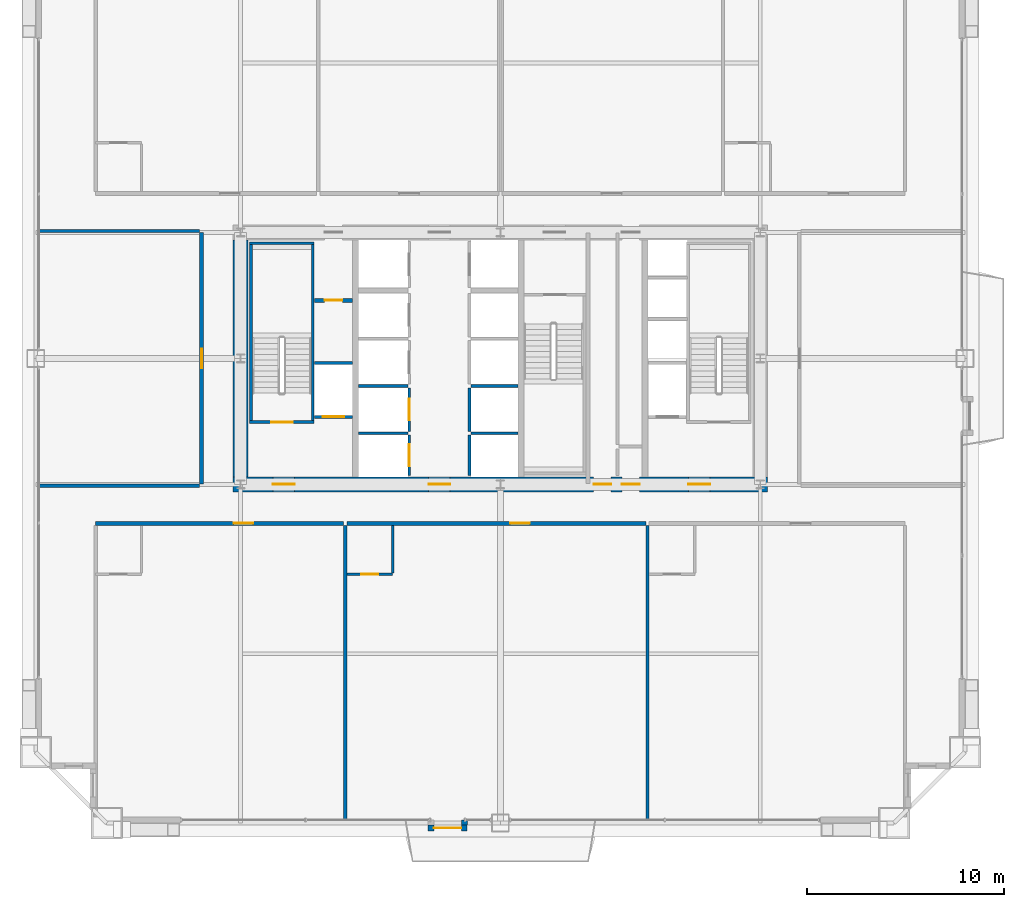
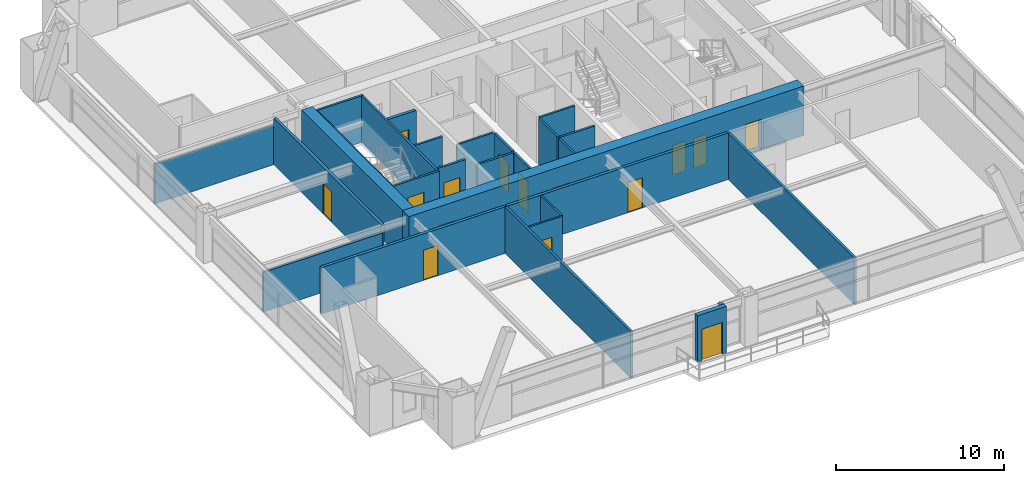
# One storey, part 39 of 43: 28 walls, 15 doors, 15 openings.
"""IFC4 building model written with IfcOpenShell, lengths in metres."""

from ifc_helpers import new_model, si_unit, direction, frame, frame_2d, origin, place, context, subcontext, project, spatial, rectangle, extrude, source, transform, mapped, material, layer, layer_set, type_object, element, fill, save


model = new_model("IFC4")

# Units and contexts
model_context = context("Model", 3, precision=1e-05, world=origin(), true_north=direction((0.0, 1.0)))
body_context = subcontext(model_context, "Body", "Model", "MODEL_VIEW")
ifc_project = project(units=[si_unit("LENGTHUNIT", "METRE"), si_unit("AREAUNIT", "SQUARE_METRE"), si_unit("VOLUMEUNIT", "CUBIC_METRE"), si_unit("PLANEANGLEUNIT", "RADIAN"), si_unit("MASSUNIT", "GRAM", prefix="KILO"), si_unit("THERMODYNAMICTEMPERATUREUNIT", "KELVIN"), si_unit("POWERUNIT", "WATT")], contexts=[model_context])

# Site, building, storey
site_placement = place(None, origin())
site = spatial("IfcSite", under=ifc_project, at=site_placement, CompositionType="ELEMENT")
building_placement = place(site_placement, origin())
building = spatial("IfcBuilding", under=site, at=building_placement, Name="Yuzanri Waterfront Tower", CompositionType="ELEMENT")
storey_placement = place(building_placement, frame((0.0, 0.0, 101.0)))
storey = spatial("IfcBuildingStorey", under=building, at=storey_placement, Name="L26", CompositionType="ELEMENT", Elevation=101.0)

# Wall, opening, door
ifc_material_1 = material(Name="Moisture-Resistant Gypsum Stud Wall", Category="gypsum")
ifc_layer_1 = layer(ifc_material_1, 0.1201171875)
ifc_layer_set_1 = layer_set([ifc_layer_1], Name="Moisture-Resistant Gypsum Stud Wall")
wall_type_1 = type_object("IfcWallType", Name="Bathroom and Kitchen Wet Partition 120", PredefinedType="PARTITIONING", material=ifc_layer_set_1)
wall_1_placement = place(storey_placement, frame((29.198974609375, 14.840087890625, 0.0), z_axis=(0.0, 0.0, 1.0), x_axis=(1.0, 0.0, 0.0)))
wall_1 = element("IfcWall", 1, at=wall_1_placement, inside=storey, type_object=wall_type_1, Name="L26 Partition UW-L26-S2-BS", PredefinedType="PARTITIONING", context=body_context, shape_type="SweptSolid", body=[
    extrude(rectangle(XDim=2.330078125, YDim=0.1201171875, at=frame_2d((1.1650390625, 0.0))), origin(), (0.0, 0.0, 1.0), 3.3798828125),
])
opening_1_placement = place(wall_1_placement, frame((0.739990234375, 0.0, 0.0)))
opening_1 = element("IfcOpeningElement", 2, at=opening_1_placement, cuts=wall_1, Name="Opening ID-0850", PredefinedType="OPENING", context=body_context, shape_type="SweptSolid", body=[
    extrude(rectangle(XDim=0.85009765625, YDim=2.10009765625, at=frame_2d((0.425048828125, 1.050048828125))), frame((0.0, 0.074951171875, 0.0), z_axis=(0.0, -1.0, 0.0), x_axis=(1.0, 0.0, 0.0)), (0.0, 0.0, 1.0), 0.14990234375),
])
ifc_material_2 = material(Name="Moisture-Resistant Lacquered Timber", Category="wood")
door_type_1 = type_object("IfcDoorType", Name="En-Suite Bathroom and Kitchen Swing Door 850x2100", OperationType="NOTDEFINED", PredefinedType="DOOR", material=ifc_material_2)
shared_shape_1 = source(origin(), body_context, "Body", "SweptSolid", [
    extrude(rectangle(XDim=0.85009765625, YDim=2.10009765625, at=frame_2d((0.425048828125, 1.050048828125))), frame((0.0, 0.02490234375, 0.0), z_axis=(0.0, -1.0, 0.0), x_axis=(1.0, 0.0, 0.0)), (0.0, 0.0, 1.0), 0.050048828125),
])
door_1_placement = place(opening_1_placement, origin())
door_1 = element("IfcDoor", 3, at=door_1_placement, inside=storey, type_object=door_type_1, Name="L26 Guest En-Suite Door", OperationType="SINGLE_SWING_LEFT", OverallHeight=2.10009765625, OverallWidth=0.85009765625, PredefinedType="DOOR", context=body_context, shape_type="MappedRepresentation", body=[
    mapped(shared_shape_1, transform((0.0, 0.0, 0.0), scale=1.0)),
])
fill(opening_1, door_1)

ifc_material_3 = material(Name="Honed Chongqing Dark Basalt Stone", Category="masonry")
ifc_layer_2 = layer(ifc_material_3, 0.300048828125)
ifc_layer_set_2 = layer_set([ifc_layer_2], Name="Honed Chongqing Dark Basalt Stone")
wall_type_2 = type_object("IfcWallType", Name="Bronze Rainscreen Insulated Spandrel Portal Wall 300", PredefinedType="SOLIDWALL", material=ifc_layer_set_2)
wall_2_placement = place(storey_placement, frame((33.31689453125, 1.949951171875, 0.0), z_axis=(0.0, 0.0, 1.0), x_axis=(1.0, 0.0, 0.0)))
wall_2 = element("IfcWall", 4, at=wall_2_placement, inside=storey, type_object=wall_type_2, Name="L26 S Terrace Door Portal Wall", PredefinedType="SOLIDWALL", context=body_context, shape_type="SweptSolid", body=[
    extrude(rectangle(XDim=2.0, YDim=0.300048828125, at=frame_2d((1.0, 0.0))), origin(), (0.0, 0.0, 1.0), 3.3798828125),
])
opening_2_placement = place(wall_2_placement, frame((0.300048828125, 0.0, 0.0)))
opening_2 = element("IfcOpeningElement", 5, at=opening_2_placement, cuts=wall_2, Name="Opening TD-1400", PredefinedType="OPENING", context=body_context, shape_type="SweptSolid", body=[
    extrude(rectangle(XDim=1.39990234375, YDim=2.300048828125, at=frame_2d((0.699951171875, 1.14990234375))), frame((0.0, 0.1650390625, 0.0), z_axis=(0.0, -1.0, 0.0), x_axis=(1.0, 0.0, 0.0)), (0.0, 0.0, 1.0), 0.329833984375),
])
ifc_material_4 = material(Name="Anodized Architectural Bronze", Category="metal")
door_type_2 = type_object("IfcDoorType", Name="Anodized Bronze Balcony and Terrace Glazed Double Door 1400x2300", OperationType="NOTDEFINED", PredefinedType="DOOR", material=ifc_material_4)
shared_shape_2 = source(origin(), body_context, "Body", "SweptSolid", [
    extrude(rectangle(XDim=1.39990234375, YDim=2.300048828125, at=frame_2d((0.699951171875, 1.14990234375))), frame((0.0, 0.02490234375, 0.0), z_axis=(0.0, -1.0, 0.0), x_axis=(1.0, 0.0, 0.0)), (0.0, 0.0, 1.0), 0.050048828125),
])
door_2_placement = place(opening_2_placement, origin())
door_2 = element("IfcDoor", 6, at=door_2_placement, inside=storey, type_object=door_type_2, Name="L26 S Terrace Glazed Double Door", OperationType="DOUBLE_DOOR_SINGLE_SWING", OverallHeight=2.300048828125, OverallWidth=1.39990234375, PredefinedType="DOOR", context=body_context, shape_type="MappedRepresentation", body=[
    mapped(shared_shape_2, transform((0.0, 0.0, 0.0), scale=1.0)),
])
fill(opening_2, door_2)

# Wall, openings, doors
ifc_material_5 = material(Name="Concrete C55", Category="concrete")
ifc_layer_3 = layer(ifc_material_5, 0.75)
ifc_layer_set_3 = layer_set([ifc_layer_3], Name="Concrete C55")
wall_type_3 = type_object("IfcWallType", Name="Concrete C55 Low-Mid Zone Core Shear Wall 750", PredefinedType="SHEAR", material=ifc_layer_set_3)
wall_3_placement = place(storey_placement, frame((23.425048828125, 19.39990234375, 0.0), z_axis=(0.0, 0.0, 1.0), x_axis=(1.0, 0.0, 0.0)))
wall_3 = element("IfcWall", 7, at=wall_3_placement, inside=storey, type_object=wall_type_3, Name="L26 Core South Shear Wall", PredefinedType="SHEAR", context=body_context, shape_type="SweptSolid", body=[
    extrude(rectangle(XDim=27.14990234375, YDim=0.75, at=frame_2d((13.574951171875, 0.0))), origin(), (0.0, 0.0, 1.0), 3.60009765625),
])
opening_3_placement = place(wall_3_placement, frame((2.02490234375, 0.0, 0.0)))
opening_3 = element("IfcOpeningElement", 8, at=opening_3_placement, cuts=wall_3, Name="Opening FD-1100", PredefinedType="OPENING", context=body_context, shape_type="SweptSolid", body=[
    extrude(rectangle(XDim=1.10009765625, YDim=2.199951171875, at=frame_2d((0.550048828125, 1.10009765625))), frame((0.0, 0.389892578125, 0.0), z_axis=(0.0, -1.0, 0.0), x_axis=(1.0, 0.0, 0.0)), (0.0, 0.0, 1.0), 0.77978515625),
])
opening_4_placement = place(wall_3_placement, frame((9.925048828125, 0.0, 0.0)))
opening_4 = element("IfcOpeningElement", 9, at=opening_4_placement, cuts=wall_3, Name="Opening FD-1100", PredefinedType="OPENING", context=body_context, shape_type="SweptSolid", body=[
    extrude(rectangle(XDim=1.10009765625, YDim=2.199951171875, at=frame_2d((0.550048828125, 1.10009765625))), frame((0.0, 0.389892578125, 0.0), z_axis=(0.0, -1.0, 0.0), x_axis=(1.0, 0.0, 0.0)), (0.0, 0.0, 1.0), 0.77978515625),
])
opening_5_placement = place(wall_3_placement, frame((23.125, 0.0, 0.0)))
opening_5 = element("IfcOpeningElement", 10, at=opening_5_placement, cuts=wall_3, Name="Opening FD-1100", PredefinedType="OPENING", context=body_context, shape_type="SweptSolid", body=[
    extrude(rectangle(XDim=1.10009765625, YDim=2.199951171875, at=frame_2d((0.550048828125, 1.10009765625))), frame((0.0, 0.389892578125, 0.0), z_axis=(0.0, -1.0, 0.0), x_axis=(1.0, 0.0, 0.0)), (0.0, 0.0, 1.0), 0.77978515625),
])
opening_6_placement = place(wall_3_placement, frame((19.7451171875, 0.0, 0.0)))
opening_6 = element("IfcOpeningElement", 11, at=opening_6_placement, cuts=wall_3, Name="Opening FD-0900", PredefinedType="OPENING", context=body_context, shape_type="SweptSolid", body=[
    extrude(rectangle(XDim=0.89990234375, YDim=2.14990234375, at=frame_2d((0.449951171875, 1.074951171875))), frame((0.0, 0.389892578125, 0.0), z_axis=(0.0, -1.0, 0.0), x_axis=(1.0, 0.0, 0.0)), (0.0, 0.0, 1.0), 0.77978515625),
])
opening_7_placement = place(wall_3_placement, frame((18.304931640625, 0.0, 0.0)))
opening_7 = element("IfcOpeningElement", 12, at=opening_7_placement, cuts=wall_3, Name="Opening FD-0900", PredefinedType="OPENING", context=body_context, shape_type="SweptSolid", body=[
    extrude(rectangle(XDim=0.89990234375, YDim=2.14990234375, at=frame_2d((0.449951171875, 1.074951171875))), frame((0.0, 0.389892578125, 0.0), z_axis=(0.0, -1.0, 0.0), x_axis=(1.0, 0.0, 0.0)), (0.0, 0.0, 1.0), 0.77978515625),
])
ifc_material_6 = material(Name="Painted Galvanized Fire Steel", Category="steel")
door_type_3 = type_object("IfcDoorType", Name="Smoke-Proof Stair and Lobby Fire Door 1100x2200", OperationType="NOTDEFINED", PredefinedType="DOOR", material=ifc_material_6)
shared_shape_3 = source(origin(), body_context, "Body", "SweptSolid", [
    extrude(rectangle(XDim=1.10009765625, YDim=2.199951171875, at=frame_2d((0.550048828125, 1.10009765625))), frame((0.0, 0.02490234375, 0.0), z_axis=(0.0, -1.0, 0.0), x_axis=(1.0, 0.0, 0.0)), (0.0, 0.0, 1.0), 0.050048828125),
])
door_3_placement = place(opening_3_placement, origin())
door_3 = element("IfcDoor", 13, at=door_3_placement, inside=storey, type_object=door_type_3, Name="L26 West Firefighting Lobby Door", OperationType="SINGLE_SWING_RIGHT", OverallHeight=2.199951171875, OverallWidth=1.10009765625, PredefinedType="DOOR", context=body_context, shape_type="MappedRepresentation", body=[
    mapped(shared_shape_3, transform((0.0, 0.0, 0.0), scale=1.0)),
])
fill(opening_3, door_3)
door_4_placement = place(opening_4_placement, origin())
door_4 = element("IfcDoor", 14, at=door_4_placement, inside=storey, type_object=door_type_3, Name="L26 Central Lift Lobby South Door", OperationType="SINGLE_SWING_LEFT", OverallHeight=2.199951171875, OverallWidth=1.10009765625, PredefinedType="DOOR", context=body_context, shape_type="MappedRepresentation", body=[
    mapped(shared_shape_3, transform((0.0, 0.0, 0.0), scale=1.0)),
])
fill(opening_4, door_4)
door_5_placement = place(opening_5_placement, origin())
door_5 = element("IfcDoor", 15, at=door_5_placement, inside=storey, type_object=door_type_3, Name="L26 East Firefighting Lobby Door", OperationType="SINGLE_SWING_RIGHT", OverallHeight=2.199951171875, OverallWidth=1.10009765625, PredefinedType="DOOR", context=body_context, shape_type="MappedRepresentation", body=[
    mapped(shared_shape_3, transform((0.0, 0.0, 0.0), scale=1.0)),
])
fill(opening_5, door_5)
ifc_material_7 = material(Name="Painted Galvanized Fire Steel", Category="steel")
door_type_4 = type_object("IfcDoorType", Name="Riser and Service Room Fire Door 900x2150", OperationType="NOTDEFINED", PredefinedType="DOOR", material=ifc_material_7)
shared_shape_4 = source(origin(), body_context, "Body", "SweptSolid", [
    extrude(rectangle(XDim=0.89990234375, YDim=2.14990234375, at=frame_2d((0.449951171875, 1.074951171875))), frame((0.0, 0.02490234375, 0.0), z_axis=(0.0, -1.0, 0.0), x_axis=(1.0, 0.0, 0.0)), (0.0, 0.0, 1.0), 0.050048828125),
])
door_6_placement = place(opening_6_placement, origin())
door_6 = element("IfcDoor", 16, at=door_6_placement, inside=storey, type_object=door_type_4, Name="L26 East Wet Riser Door", OperationType="SINGLE_SWING_LEFT", OverallHeight=2.14990234375, OverallWidth=0.89990234375, PredefinedType="DOOR", context=body_context, shape_type="MappedRepresentation", body=[
    mapped(shared_shape_4, transform((0.0, 0.0, 0.0), scale=1.0)),
])
fill(opening_6, door_6)
door_7_placement = place(opening_7_placement, origin())
door_7 = element("IfcDoor", 17, at=door_7_placement, inside=storey, type_object=door_type_4, Name="L26 Housekeeping Room", OperationType="SINGLE_SWING_RIGHT", OverallHeight=2.14990234375, OverallWidth=0.89990234375, PredefinedType="DOOR", context=body_context, shape_type="MappedRepresentation", body=[
    mapped(shared_shape_4, transform((0.0, 0.0, 0.0), scale=1.0)),
])
fill(opening_7, door_7)

# Wall, opening, door
ifc_material_8 = material(Name="Concrete C40", Category="concrete")
ifc_layer_4 = layer(ifc_material_8, 0.139892578125)
ifc_layer_set_4 = layer_set([ifc_layer_4], Name="Concrete C40")
wall_type_4 = type_object("IfcWallType", Name="Core Stair Liner and Hoistway Shaft Wall 140", PredefinedType="SOLIDWALL", material=ifc_layer_set_4)
wall_4_placement = place(storey_placement, frame((27.56005859375, 22.830078125, 0.0), z_axis=(0.0, 0.0, 1.0), x_axis=(1.0, 0.0, 0.0)))
wall_4 = element("IfcWall", 18, at=wall_4_placement, inside=storey, type_object=wall_type_4, Name="L26 Lift FL-01 Front Shaft Wall", PredefinedType="SOLIDWALL", context=body_context, shape_type="SweptSolid", body=[
    extrude(rectangle(XDim=1.919921875, YDim=0.139892578125, at=frame_2d((0.9599609375, 0.0))), origin(), (0.0, 0.0, 1.0), 3.3798828125),
])
opening_8_placement = place(wall_4_placement, frame((0.409912109375, 0.0, 0.0)))
opening_8 = element("IfcOpeningElement", 19, at=opening_8_placement, cuts=wall_4, Name="Opening LD-FL-01", PredefinedType="OPENING", context=body_context, shape_type="SweptSolid", body=[
    extrude(rectangle(XDim=1.10009765625, YDim=2.199951171875, at=frame_2d((0.550048828125, 1.10009765625))), frame((0.0, 0.0849609375, 0.0), z_axis=(0.0, -1.0, 0.0), x_axis=(1.0, 0.0, 0.0)), (0.0, 0.0, 1.0), 0.169677734375),
])
ifc_material_9 = material(Name="Brushed Bronze and Stainless Steel Cab", Category="steel")
door_type_5 = type_object("IfcDoorType", Name="Center-Parting Bronze Lift Landing Sliding Door 1100x2200", OperationType="NOTDEFINED", PredefinedType="DOOR", material=ifc_material_9)
shared_shape_5 = source(origin(), body_context, "Body", "SweptSolid", [
    extrude(rectangle(XDim=1.10009765625, YDim=2.199951171875, at=frame_2d((0.550048828125, 1.10009765625))), frame((0.0, 0.02490234375, 0.0), z_axis=(0.0, -1.0, 0.0), x_axis=(1.0, 0.0, 0.0)), (0.0, 0.0, 1.0), 0.050048828125),
])
door_8_placement = place(opening_8_placement, origin())
door_8 = element("IfcDoor", 20, at=door_8_placement, inside=storey, type_object=door_type_5, Name="L26 FL-01 Lift Landing Sliding Door", OperationType="SLIDING_TO_LEFT", OverallHeight=2.199951171875, OverallWidth=1.10009765625, PredefinedType="DOOR", context=body_context, shape_type="MappedRepresentation", body=[
    mapped(shared_shape_5, transform((0.0, 0.0, 0.0), scale=1.0)),
])
fill(opening_8, door_8)

wall_5_placement = place(storey_placement, frame((32.3701171875, 19.860107421875, 0.0), z_axis=(0.0, 0.0, 1.0), x_axis=(0.0, 1.0, 0.0)))
wall_5 = element("IfcWall", 21, at=wall_5_placement, inside=storey, type_object=wall_type_4, Name="L26 Lift PL-01 Front Shaft Wall", PredefinedType="SOLIDWALL", context=body_context, shape_type="SweptSolid", body=[
    extrude(rectangle(XDim=2.039794921875, YDim=0.139892578125, at=frame_2d((1.02001953125, 0.0))), origin(), (0.0, 0.0, 1.0), 3.3798828125),
])
opening_9_placement = place(wall_5_placement, frame((0.469970703125, 0.0, 0.0)))
opening_9 = element("IfcOpeningElement", 22, at=opening_9_placement, cuts=wall_5, Name="Opening LD-PL-01", PredefinedType="OPENING", context=body_context, shape_type="SweptSolid", body=[
    extrude(rectangle(XDim=1.10009765625, YDim=2.199951171875, at=frame_2d((0.550048828125, 1.10009765625))), frame((0.0, 0.0849609375, 0.0), z_axis=(0.0, -1.0, 0.0), x_axis=(1.0, 0.0, 0.0)), (0.0, 0.0, 1.0), 0.169677734375),
])
door_9_placement = place(opening_9_placement, origin())
door_9 = element("IfcDoor", 23, at=door_9_placement, inside=storey, type_object=door_type_5, Name="L26 PL-01 Lift Landing Sliding Door", OperationType="SLIDING_TO_LEFT", OverallHeight=2.199951171875, OverallWidth=1.10009765625, PredefinedType="DOOR", context=body_context, shape_type="MappedRepresentation", body=[
    mapped(shared_shape_5, transform((0.0, 0.0, 0.0), scale=1.0)),
])
fill(opening_9, door_9)

wall_6_placement = place(storey_placement, frame((32.3701171875, 22.10009765625, 0.0), z_axis=(0.0, 0.0, 1.0), x_axis=(0.0, 1.0, 0.0)))
wall_6 = element("IfcWall", 24, at=wall_6_placement, inside=storey, type_object=wall_type_4, Name="L26 Lift PL-02 Front Shaft Wall", PredefinedType="SOLIDWALL", context=body_context, shape_type="SweptSolid", body=[
    extrude(rectangle(XDim=2.199951171875, YDim=0.139892578125, at=frame_2d((1.10009765625, 0.0))), origin(), (0.0, 0.0, 1.0), 3.3798828125),
])
opening_10_placement = place(wall_6_placement, frame((0.550048828125, 0.0, 0.0)))
opening_10 = element("IfcOpeningElement", 25, at=opening_10_placement, cuts=wall_6, Name="Opening LD-PL-02", PredefinedType="OPENING", context=body_context, shape_type="SweptSolid", body=[
    extrude(rectangle(XDim=1.10009765625, YDim=2.199951171875, at=frame_2d((0.550048828125, 1.10009765625))), frame((0.0, 0.0849609375, 0.0), z_axis=(0.0, -1.0, 0.0), x_axis=(1.0, 0.0, 0.0)), (0.0, 0.0, 1.0), 0.169677734375),
])
door_10_placement = place(opening_10_placement, origin())
door_10 = element("IfcDoor", 26, at=door_10_placement, inside=storey, type_object=door_type_5, Name="L26 PL-02 Lift Landing Sliding Door", OperationType="SLIDING_TO_RIGHT", OverallHeight=2.199951171875, OverallWidth=1.10009765625, PredefinedType="DOOR", context=body_context, shape_type="MappedRepresentation", body=[
    mapped(shared_shape_5, transform((0.0, 0.0, 0.0), scale=1.0)),
])
fill(opening_10, door_10)

wall_7_placement = place(storey_placement, frame((24.260009765625, 22.570068359375, 0.0), z_axis=(0.0, 0.0, 1.0), x_axis=(1.0, 0.0, 0.0)))
wall_7 = element("IfcWall", 27, at=wall_7_placement, inside=storey, type_object=wall_type_4, Name="L26 Shaft Wall STW-L26-ST-01-S", PredefinedType="SOLIDWALL", context=body_context, shape_type="SweptSolid", body=[
    extrude(rectangle(XDim=3.280029296875, YDim=0.139892578125, at=frame_2d((1.64013671875, 0.0))), origin(), (0.0, 0.0, 1.0), 3.3798828125),
])
opening_11_placement = place(wall_7_placement, frame((1.090087890625, 0.0, 0.0)))
opening_11 = element("IfcOpeningElement", 28, at=opening_11_placement, cuts=wall_7, Name="Opening FD-1100", PredefinedType="OPENING", context=body_context, shape_type="SweptSolid", body=[
    extrude(rectangle(XDim=1.10009765625, YDim=2.199951171875, at=frame_2d((0.550048828125, 1.10009765625))), frame((0.0, 0.0849609375, 0.0), z_axis=(0.0, -1.0, 0.0), x_axis=(1.0, 0.0, 0.0)), (0.0, 0.0, 1.0), 0.169677734375),
])
door_11_placement = place(opening_11_placement, origin())
door_11 = element("IfcDoor", 29, at=door_11_placement, inside=storey, type_object=door_type_3, Name="L26 Stair ST-01 Fire Door", OperationType="SINGLE_SWING_LEFT", OverallHeight=2.199951171875, OverallWidth=1.10009765625, PredefinedType="DOOR", context=body_context, shape_type="MappedRepresentation", body=[
    mapped(shared_shape_3, transform((0.0, 0.0, 0.0), scale=1.0)),
])
fill(opening_11, door_11)

ifc_material_10 = material(Name="Autoclaved Aerated Concrete Blockwork", Category="masonry")
ifc_layer_5 = layer(ifc_material_10, 0.199951171875)
ifc_layer_set_5 = layer_set([ifc_layer_5], Name="Autoclaved Aerated Concrete Blockwork")
wall_type_5 = type_object("IfcWallType", Name="Corridor and Unit Party Fire Wall 200", PredefinedType="PARTITIONING", material=ifc_layer_set_5)
wall_8_placement = place(storey_placement, frame((27.56005859375, 28.75, 0.0), z_axis=(0.0, 0.0, 1.0), x_axis=(1.0, 0.0, 0.0)))
wall_8 = element("IfcWall", 30, at=wall_8_placement, inside=storey, type_object=wall_type_5, Name="L26 Partition CRW-L26-ERTR", PredefinedType="PARTITIONING", context=body_context, shape_type="SweptSolid", body=[
    extrude(rectangle(XDim=1.919921875, YDim=0.199951171875, at=frame_2d((0.9599609375, 0.0))), origin(), (0.0, 0.0, 1.0), 3.3798828125),
])
opening_12_placement = place(wall_8_placement, frame((0.510009765625, 0.0, 0.0)))
opening_12 = element("IfcOpeningElement", 31, at=opening_12_placement, cuts=wall_8, Name="Opening FD-0900", PredefinedType="OPENING", context=body_context, shape_type="SweptSolid", body=[
    extrude(rectangle(XDim=0.89990234375, YDim=2.14990234375, at=frame_2d((0.449951171875, 1.074951171875))), frame((0.0, 0.11474609375, 0.0), z_axis=(0.0, -1.0, 0.0), x_axis=(1.0, 0.0, 0.0)), (0.0, 0.0, 1.0), 0.229736328125),
])
door_12_placement = place(opening_12_placement, origin())
door_12 = element("IfcDoor", 32, at=door_12_placement, inside=storey, type_object=door_type_4, Name="L26 Electrical Riser Door", OperationType="SINGLE_SWING_RIGHT", OverallHeight=2.14990234375, OverallWidth=0.89990234375, PredefinedType="DOOR", context=body_context, shape_type="MappedRepresentation", body=[
    mapped(shared_shape_4, transform((0.0, 0.0, 0.0), scale=1.0)),
])
fill(opening_12, door_12)

wall_9_placement = place(storey_placement, frame((16.43994140625, 17.419921875, 0.0), z_axis=(0.0, 0.0, 1.0), x_axis=(1.0, 0.0, 0.0)))
wall_9 = element("IfcWall", 33, at=wall_9_placement, inside=storey, type_object=wall_type_5, Name="L26 Partition UW-L26-S1-CN", PredefinedType="PARTITIONING", context=body_context, shape_type="SweptSolid", body=[
    extrude(rectangle(XDim=12.59912109375, YDim=0.199951171875, at=frame_2d((6.299560546875, 0.0))), origin(), (0.0, 0.0, 1.0), 3.3798828125),
])
opening_13_placement = place(wall_9_placement, frame((7.0048828125, 0.0, 0.0)))
opening_13 = element("IfcOpeningElement", 34, at=opening_13_placement, cuts=wall_9, Name="Opening FD-1000", PredefinedType="OPENING", context=body_context, shape_type="SweptSolid", body=[
    extrude(rectangle(XDim=1.0, YDim=2.199951171875, at=frame_2d((0.5, 1.10009765625))), frame((0.0, 0.11474609375, 0.0), z_axis=(0.0, -1.0, 0.0), x_axis=(1.0, 0.0, 0.0)), (0.0, 0.0, 1.0), 0.229736328125),
])
ifc_material_11 = material(Name="Engineered Oak Fire-Rated Timber", Category="wood")
door_type_6 = type_object("IfcDoorType", Name="Guestroom and Apartment Entrance Fire Door 1000x2200", OperationType="NOTDEFINED", PredefinedType="DOOR", material=ifc_material_11)
shared_shape_6 = source(origin(), body_context, "Body", "SweptSolid", [
    extrude(rectangle(XDim=1.0, YDim=2.199951171875, at=frame_2d((0.5, 1.10009765625))), frame((0.0, 0.02490234375, 0.0), z_axis=(0.0, -1.0, 0.0), x_axis=(1.0, 0.0, 0.0)), (0.0, 0.0, 1.0), 0.050048828125),
])
door_13_placement = place(opening_13_placement, origin())
door_13 = element("IfcDoor", 35, at=door_13_placement, inside=storey, type_object=door_type_6, Name="L26 Presidential Corner Suite Entrance Door", OperationType="SINGLE_SWING_RIGHT", OverallHeight=2.199951171875, OverallWidth=1.0, PredefinedType="DOOR", context=body_context, shape_type="MappedRepresentation", body=[
    mapped(shared_shape_6, transform((0.0, 0.0, 0.0), scale=1.0)),
])
fill(opening_13, door_13)

wall_10_placement = place(storey_placement, frame((29.198974609375, 17.419921875, 0.0), z_axis=(0.0, 0.0, 1.0), x_axis=(1.0, 0.0, 0.0)))
wall_10 = element("IfcWall", 36, at=wall_10_placement, inside=storey, type_object=wall_type_5, Name="L26 Partition UW-L26-S2-CN", PredefinedType="PARTITIONING", context=body_context, shape_type="SweptSolid", body=[
    extrude(rectangle(XDim=15.19091796875, YDim=0.199951171875, at=frame_2d((7.595458984375, 0.0))), origin(), (0.0, 0.0, 1.0), 3.3798828125),
])
opening_14_placement = place(wall_10_placement, frame((8.300048828125, 0.0, 0.0)))
opening_14 = element("IfcOpeningElement", 37, at=opening_14_placement, cuts=wall_10, Name="Opening FD-1000", PredefinedType="OPENING", context=body_context, shape_type="SweptSolid", body=[
    extrude(rectangle(XDim=1.0, YDim=2.199951171875, at=frame_2d((0.5, 1.10009765625))), frame((0.0, 0.11474609375, 0.0), z_axis=(0.0, -1.0, 0.0), x_axis=(1.0, 0.0, 0.0)), (0.0, 0.0, 1.0), 0.229736328125),
])
door_14_placement = place(opening_14_placement, origin())
door_14 = element("IfcDoor", 38, at=door_14_placement, inside=storey, type_object=door_type_6, Name="L26 Diplomatic Riverfront Suite Entrance Door", OperationType="SINGLE_SWING_RIGHT", OverallHeight=2.199951171875, OverallWidth=1.0, PredefinedType="DOOR", context=body_context, shape_type="MappedRepresentation", body=[
    mapped(shared_shape_6, transform((0.0, 0.0, 0.0), scale=1.0)),
])
fill(opening_14, door_14)

wall_11_placement = place(storey_placement, frame((21.820068359375, 19.409912109375, 0.0), z_axis=(0.0, 0.0, 1.0), x_axis=(0.0, 1.0, 0.0)))
wall_11 = element("IfcWall", 39, at=wall_11_placement, inside=storey, type_object=wall_type_5, Name="L26 Partition UW-L26-W1-CW", PredefinedType="PARTITIONING", context=body_context, shape_type="SweptSolid", body=[
    extrude(rectangle(XDim=12.780029296875, YDim=0.199951171875, at=frame_2d((6.39013671875, 0.0))), origin(), (0.0, 0.0, 1.0), 3.3798828125),
])
opening_15_placement = place(wall_11_placement, frame((5.889892578125, 0.0, 0.0)))
opening_15 = element("IfcOpeningElement", 40, at=opening_15_placement, cuts=wall_11, Name="Opening FD-1000", PredefinedType="OPENING", context=body_context, shape_type="SweptSolid", body=[
    extrude(rectangle(XDim=1.0, YDim=2.199951171875, at=frame_2d((0.5, 1.10009765625))), frame((0.0, 0.11474609375, 0.0), z_axis=(0.0, -1.0, 0.0), x_axis=(1.0, 0.0, 0.0)), (0.0, 0.0, 1.0), 0.229736328125),
])
door_15_placement = place(opening_15_placement, origin())
door_15 = element("IfcDoor", 41, at=door_15_placement, inside=storey, type_object=door_type_6, Name="L26 Horizon Diplomatic Club Room Entrance Door", OperationType="SINGLE_SWING_RIGHT", OverallHeight=2.199951171875, OverallWidth=1.0, PredefinedType="DOOR", context=body_context, shape_type="MappedRepresentation", body=[
    mapped(shared_shape_6, transform((0.0, 0.0, 0.0), scale=1.0)),
])
fill(opening_15, door_15)

# Walls
shared_shape_7 = source(origin(), body_context, "Body", "SweptSolid", [
    extrude(rectangle(XDim=12.050048828125, YDim=0.75, at=frame_2d((6.02490234375, 0.0))), origin(), (0.0, 0.0, 1.0), 3.60009765625),
])
wall_12_placement = place(storey_placement, frame((23.800048828125, 19.77490234375, 0.0), z_axis=(0.0, 0.0, 1.0), x_axis=(0.0, 1.0, 0.0)))
element("IfcWall", 42, at=wall_12_placement, inside=storey, type_object=wall_type_3, Name="L26 Core West Shear Wall", PredefinedType="SHEAR", context=body_context, shape_type="MappedRepresentation", body=[
    mapped(shared_shape_7, transform((0.0, 0.0, 0.0), scale=1.0)),
])
shared_shape_8 = source(origin(), body_context, "Body", "SweptSolid", [
    extrude(rectangle(XDim=0.25, YDim=0.300048828125, at=frame_2d((0.125, 0.0))), origin(), (0.0, 0.0, 1.0), 3.3798828125),
])
wall_13_placement = place(storey_placement, frame((35.1669921875, 2.10009765625, 0.0), z_axis=(0.0, 0.0, 1.0), x_axis=(0.0, 1.0, 0.0)))
element("IfcWall", 43, at=wall_13_placement, inside=storey, type_object=wall_type_2, Name="L26 S Terrace Portal Right Return", PredefinedType="SOLIDWALL", context=body_context, shape_type="MappedRepresentation", body=[
    mapped(shared_shape_8, transform((0.0, 0.0, 0.0), scale=1.0)),
])
shared_shape_9 = source(origin(), body_context, "Body", "SweptSolid", [
    extrude(rectangle(XDim=1.919921875, YDim=0.139892578125, at=frame_2d((0.9599609375, 0.0))), origin(), (0.0, 0.0, 1.0), 3.3798828125),
])
wall_14_placement = place(storey_placement, frame((27.56005859375, 25.570068359375, 0.0), z_axis=(0.0, 0.0, 1.0), x_axis=(1.0, 0.0, 0.0)))
element("IfcWall", 44, at=wall_14_placement, inside=storey, type_object=wall_type_4, Name="L26 Lift FL-01 Back Shaft Wall", PredefinedType="SOLIDWALL", context=body_context, shape_type="MappedRepresentation", body=[
    mapped(shared_shape_9, transform((0.0, 0.0, 0.0), scale=1.0)),
])
shared_shape_10 = source(origin(), body_context, "Body", "SweptSolid", [
    extrude(rectangle(XDim=2.5, YDim=0.139892578125, at=frame_2d((1.25, 0.0))), origin(), (0.0, 0.0, 1.0), 3.3798828125),
])
for number, where, z_axis, x_axis, name in (
    (45, (29.800048828125, 22.0, 0.0), (0.0, 0.0, 1.0), (1.0, 0.0, 0.0), "L26 Lift PL-01 Divider Wall"),
    (46, (29.800048828125, 24.39990234375, 0.0), (0.0, 0.0, 1.0), (1.0, 0.0, 0.0), "L26 Lift PL-02 Divider Wall"),
):
    element("IfcWall", number, at=place(storey_placement, frame(where, z_axis=z_axis, x_axis=x_axis)), inside=storey, type_object=wall_type_4, Name=name, PredefinedType="SOLIDWALL", context=body_context, shape_type="MappedRepresentation", body=[
        mapped(shared_shape_10, transform((0.0, 0.0, 0.0), scale=1.0)),
    ])
shared_shape_11 = source(origin(), body_context, "Body", "SweptSolid", [
    extrude(rectangle(XDim=2.039794921875, YDim=0.139892578125, at=frame_2d((1.02001953125, 0.0))), origin(), (0.0, 0.0, 1.0), 3.3798828125),
])
wall_15_placement = place(storey_placement, frame((35.429931640625, 19.860107421875, 0.0), z_axis=(0.0, 0.0, 1.0), x_axis=(0.0, 1.0, 0.0)))
element("IfcWall", 47, at=wall_15_placement, inside=storey, type_object=wall_type_4, Name="L26 Lift PL-05 Front Shaft Wall", PredefinedType="SOLIDWALL", context=body_context, shape_type="MappedRepresentation", body=[
    mapped(shared_shape_11, transform((0.0, 0.0, 0.0), scale=1.0)),
])
shared_shape_12 = source(origin(), body_context, "Body", "SweptSolid", [
    extrude(rectangle(XDim=2.39990234375, YDim=0.139892578125, at=frame_2d((1.199951171875, 0.0))), origin(), (0.0, 0.0, 1.0), 3.3798828125),
])
for number, where, z_axis, x_axis, name in (
    (48, (35.5, 22.0, 0.0), (0.0, 0.0, 1.0), (1.0, 0.0, 0.0), "L26 Lift PL-05 Divider Wall"),
    (49, (35.5, 24.39990234375, 0.0), (0.0, 0.0, 1.0), (1.0, 0.0, 0.0), "L26 Lift PL-06 Divider Wall"),
):
    element("IfcWall", number, at=place(storey_placement, frame(where, z_axis=z_axis, x_axis=x_axis)), inside=storey, type_object=wall_type_4, Name=name, PredefinedType="SOLIDWALL", context=body_context, shape_type="MappedRepresentation", body=[
        mapped(shared_shape_12, transform((0.0, 0.0, 0.0), scale=1.0)),
    ])
shared_shape_13 = source(origin(), body_context, "Body", "SweptSolid", [
    extrude(rectangle(XDim=2.199951171875, YDim=0.139892578125, at=frame_2d((1.10009765625, 0.0))), origin(), (0.0, 0.0, 1.0), 3.3798828125),
])
wall_16_placement = place(storey_placement, frame((35.429931640625, 22.10009765625, 0.0), z_axis=(0.0, 0.0, 1.0), x_axis=(0.0, 1.0, 0.0)))
element("IfcWall", 50, at=wall_16_placement, inside=storey, type_object=wall_type_4, Name="L26 Lift PL-06 Front Shaft Wall", PredefinedType="SOLIDWALL", context=body_context, shape_type="MappedRepresentation", body=[
    mapped(shared_shape_13, transform((0.0, 0.0, 0.0), scale=1.0)),
])
shared_shape_14 = source(origin(), body_context, "Body", "SweptSolid", [
    extrude(rectangle(XDim=3.280029296875, YDim=0.139892578125, at=frame_2d((1.64013671875, 0.0))), origin(), (0.0, 0.0, 1.0), 3.3798828125),
])
wall_17_placement = place(storey_placement, frame((24.260009765625, 31.64990234375, 0.0), z_axis=(0.0, 0.0, 1.0), x_axis=(1.0, 0.0, 0.0)))
element("IfcWall", 51, at=wall_17_placement, inside=storey, type_object=wall_type_4, Name="L26 Stair ST-01 North Shaft Wall", PredefinedType="SOLIDWALL", context=body_context, shape_type="MappedRepresentation", body=[
    mapped(shared_shape_14, transform((0.0, 0.0, 0.0), scale=1.0)),
])
shared_shape_15 = source(origin(), body_context, "Body", "SweptSolid", [
    extrude(rectangle(XDim=8.940185546875, YDim=0.139892578125, at=frame_2d((4.47021484375, 0.0))), origin(), (0.0, 0.0, 1.0), 3.3798828125),
])
for number, where, z_axis, x_axis, name in (
    (52, (24.330078125, 22.639892578125, 0.0), (0.0, 0.0, 1.0), (0.0, 1.0, 0.0), "L26 Stair ST-01 West Shaft Wall"),
    (53, (27.469970703125, 22.639892578125, 0.0), (0.0, 0.0, 1.0), (0.0, 1.0, 0.0), "L26 Stair ST-01 East Shaft Wall"),
):
    element("IfcWall", number, at=place(storey_placement, frame(where, z_axis=z_axis, x_axis=x_axis)), inside=storey, type_object=wall_type_4, Name=name, PredefinedType="SOLIDWALL", context=body_context, shape_type="MappedRepresentation", body=[
        mapped(shared_shape_15, transform((0.0, 0.0, 0.0), scale=1.0)),
    ])
shared_shape_16 = source(origin(), body_context, "Body", "SweptSolid", [
    extrude(rectangle(XDim=2.420166015625, YDim=0.1201171875, at=frame_2d((1.2099609375, 0.0))), origin(), (0.0, 0.0, 1.0), 3.3798828125),
])
wall_18_placement = place(storey_placement, frame((31.529052734375, 14.89990234375, 0.0), z_axis=(0.0, 0.0, 1.0), x_axis=(0.0, 1.0, 0.0)))
element("IfcWall", 54, at=wall_18_placement, inside=storey, type_object=wall_type_1, Name="L26-S2 En-Suite Side Wall", PredefinedType="PARTITIONING", context=body_context, shape_type="MappedRepresentation", body=[
    mapped(shared_shape_16, transform((0.0, 0.0, 0.0), scale=1.0)),
])
ifc_material_12 = material(Name="Gypsum Fireboard Acoustic Stud Wall", Category="gypsum")
ifc_layer_6 = layer(ifc_material_12, 0.159912109375)
ifc_layer_set_6 = layer_set([ifc_layer_6], Name="Gypsum Fireboard Acoustic Stud Wall")
wall_type_6 = type_object("IfcWallType", Name="Acoustic Suite Demising Partition 160", PredefinedType="PARTITIONING", material=ifc_layer_set_6)
shared_shape_17 = source(origin(), body_context, "Body", "SweptSolid", [
    extrude(rectangle(XDim=8.169921875, YDim=0.159912109375, at=frame_2d((4.0849609375, 0.0))), origin(), (0.0, 0.0, 1.0), 2.875),
])
for number, where, z_axis, x_axis, name in (
    (55, (13.550048828125, 19.330078125, 0.0), (0.0, 0.0, 1.0), (1.0, 0.0, 0.0), "L26-W1 Wing South End Wall"),
    (56, (13.550048828125, 32.27001953125, 0.0), (0.0, 0.0, 1.0), (1.0, 0.0, 0.0), "L26-W1 Wing North End Wall"),
):
    element("IfcWall", number, at=place(storey_placement, frame(where, z_axis=z_axis, x_axis=x_axis)), inside=storey, type_object=wall_type_6, Name=name, PredefinedType="PARTITIONING", context=body_context, shape_type="MappedRepresentation", body=[
        mapped(shared_shape_17, transform((0.0, 0.0, 0.0), scale=1.0)),
    ])
shared_shape_18 = source(origin(), body_context, "Body", "SweptSolid", [
    extrude(rectangle(XDim=14.969970703125, YDim=0.159912109375, at=frame_2d((7.48486328125, 0.0))), origin(), (0.0, 0.0, 1.0), 3.3798828125),
])
for number, where, z_axis, x_axis, name in (
    (57, (29.118896484375, 2.35009765625, 0.0), (0.0, 0.0, 1.0), (0.0, 1.0, 0.0), "L26-S1 Party Wall"),
    (58, (44.469970703125, 2.35009765625, 0.0), (0.0, 0.0, 1.0), (0.0, 1.0, 0.0), "L26-S2 Party Wall"),
):
    element("IfcWall", number, at=place(storey_placement, frame(where, z_axis=z_axis, x_axis=x_axis)), inside=storey, type_object=wall_type_6, Name=name, PredefinedType="PARTITIONING", context=body_context, shape_type="MappedRepresentation", body=[
        mapped(shared_shape_18, transform((0.0, 0.0, 0.0), scale=1.0)),
    ])

save(model, "model.ifc")
